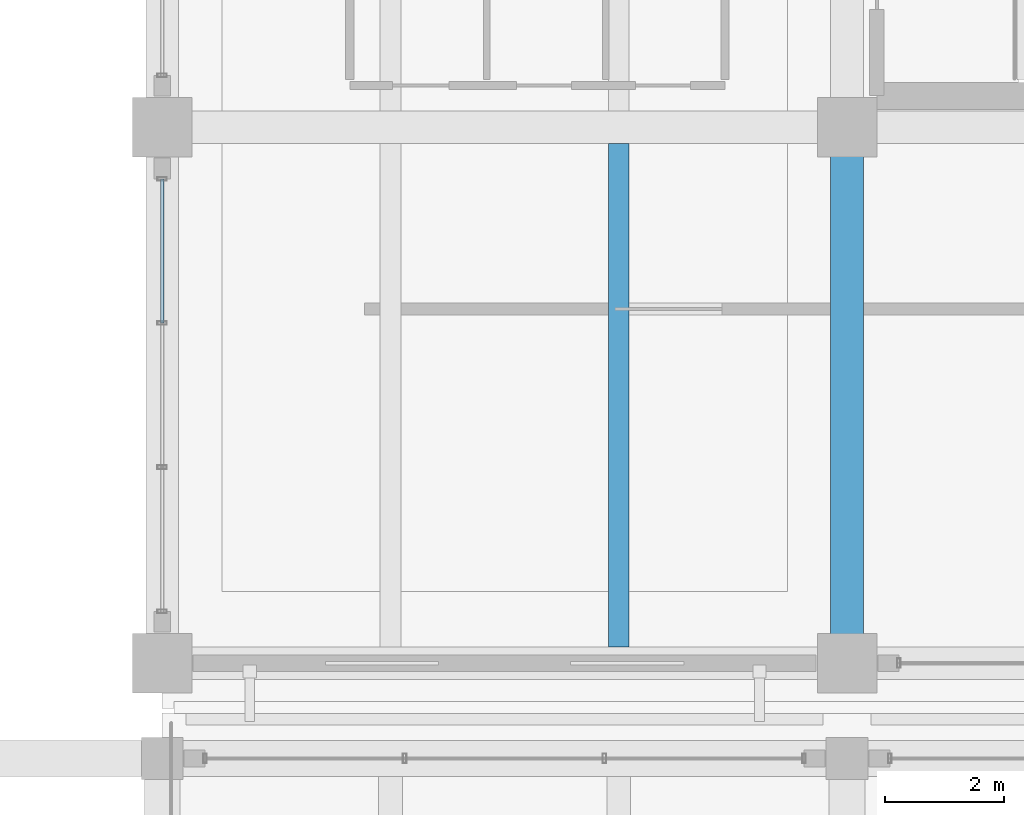
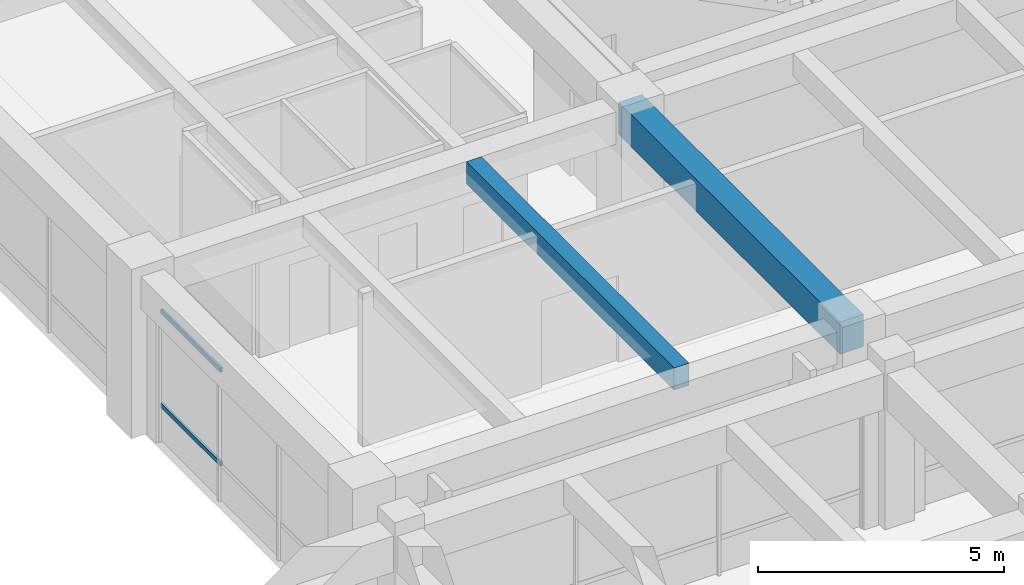
# One storey, part 37 of 98: 2 beams, 2 members, 1 element without a shape of its own.
"""IFC4 building model written with IfcOpenShell, lengths in metres."""

from ifc_helpers import new_model, si_unit, direction, frame, origin, origin_2d, place, context, subcontext, project, spatial, rectangle, hollow_rectangle, extrude, material, material_profile, profile_set, type_object, element, aggregate, save


model = new_model("IFC4")

# Units and contexts
model_context = context("Model", 3, precision=1e-05, world=origin(), true_north=direction((0.0, 1.0)))
body_context = subcontext(model_context, "Body", "Model", "MODEL_VIEW")
ifc_project = project(units=[si_unit("LENGTHUNIT", "METRE"), si_unit("AREAUNIT", "SQUARE_METRE"), si_unit("VOLUMEUNIT", "CUBIC_METRE"), si_unit("PLANEANGLEUNIT", "RADIAN"), si_unit("MASSUNIT", "GRAM", prefix="KILO")], contexts=[model_context])

# Site, building, storey
site_placement = place(None, origin())
site = spatial("IfcSite", under=ifc_project, at=site_placement, CompositionType="ELEMENT")
building_placement = place(site_placement, origin())
building = spatial("IfcBuilding", under=site, at=building_placement, Name="Ologun Quay Terminus", CompositionType="ELEMENT")
storey_placement = place(building_placement, frame((0.0, 0.0, 4.199951171875)))
storey = spatial("IfcBuildingStorey", under=building, at=storey_placement, Name="L01", CompositionType="ELEMENT", Elevation=4.199951171875)

# Curtain wall, members
ifc_material_1 = material(Name="Aluminium 6063-T6", Category="aluminium")
curtain_wall_type = type_object("IfcCurtainWallType", Name="Rain-Garden East Courtyard Curtain Wall L01 9200x3850", PredefinedType="USERDEFINED", material=ifc_material_1)
curtain_wall_placement = place(storey_placement, origin())
curtain_wall = element("IfcCurtainWall", 1, at=curtain_wall_placement, inside=storey, type_object=curtain_wall_type, Name="CW-18 Curtain Wall CW-L01-128", ObjectType="UNITISED CURTAIN WALL", PredefinedType="USERDEFINED")
ifc_material_2 = material(Name="Aluminium 6063-T6", Category="aluminium")
ifc_material_profile_1 = material_profile(ifc_material_2, hollow_rectangle(XDim=0.054931640625, YDim=0.110107421875, WallThickness=0.00390625, at=origin_2d()), Name="ALU 110x55x4")
ifc_profile_set_1 = profile_set([ifc_material_profile_1], Name="Aluminium 6063-T6")
member_type = type_object("IfcMemberType", Name="Courtyard Screen Transom 110x55", PredefinedType="USERDEFINED", material=ifc_profile_set_1)
member_1_placement = place(storey_placement, frame((115.0, 91.510009765625, 0.900146484375), z_axis=(0.0, 1.0, 0.0), x_axis=(-1.0, 0.0, 0.0)))
member_1 = element("IfcMember", 2, at=member_1_placement, type_object=member_type, Name="CW-L01-128 Transom B3-1", ObjectType="TRANSOM", PredefinedType="USERDEFINED", context=body_context, shape_type="SweptSolid", body=[
    extrude(hollow_rectangle(XDim=0.054931640625, YDim=0.110107421875, WallThickness=0.00390625, at=origin_2d()), origin(), (0.0, 0.0, 1.0), 2.419921875),
])
member_2_placement = place(storey_placement, frame((115.0, 91.510009765625, 3.22998046875), z_axis=(0.0, 1.0, 0.0), x_axis=(-1.0, 0.0, 0.0)))
member_2 = element("IfcMember", 3, at=member_2_placement, type_object=member_type, Name="CW-L01-128 Transom B3-2", ObjectType="TRANSOM", PredefinedType="USERDEFINED", context=body_context, shape_type="SweptSolid", body=[
    extrude(hollow_rectangle(XDim=0.054931640625, YDim=0.110107421875, WallThickness=0.00390625, at=origin_2d()), origin(), (0.0, 0.0, 1.0), 2.419921875),
])
aggregate(curtain_wall, [member_1, member_2])

# Beams
ifc_material_3 = material(Name="Concrete C40/50", Category="concrete")
ifc_material_profile_2 = material_profile(ifc_material_3, rectangle(XDim=0.550048828125, YDim=0.800048828125, at=origin_2d()), Name="RC 550x800")
ifc_profile_set_2 = profile_set([ifc_material_profile_2], Name="Concrete C40/50")
beam_type_1 = type_object("IfcBeamType", Name="Courtyard Wing Primary Girder 550x800", PredefinedType="BEAM", material=ifc_profile_set_2)
beam_1_placement = place(storey_placement, frame((126.5, 85.800048828125, 3.550048828125), z_axis=(0.0, 1.0, 0.0), x_axis=(-1.0, 0.0, 0.0)))
element("IfcBeam", 4, at=beam_1_placement, inside=storey, type_object=beam_type_1, Name="B4 Beam 12/G2 L01", PredefinedType="BEAM", context=body_context, shape_type="SweptSolid", body=[
    extrude(rectangle(XDim=0.550048828125, YDim=0.800048828125, at=origin_2d()), origin(), (0.0, 0.0, 1.0), 9.0),
])
ifc_material_4 = material(Name="Concrete C40/50", Category="concrete")
ifc_material_profile_3 = material_profile(ifc_material_4, rectangle(XDim=0.35009765625, YDim=0.550048828125, at=origin_2d()), Name="RC 350x550")
ifc_profile_set_3 = profile_set([ifc_material_profile_3], Name="Concrete C40/50")
beam_type_2 = type_object("IfcBeamType", Name="Courtyard Wing Secondary Joist 350x550", PredefinedType="JOIST", material=ifc_profile_set_3)
beam_2_placement = place(storey_placement, frame((122.666748046875, 86.074951171875, 3.675048828125), z_axis=(0.0, 1.0, 0.0), x_axis=(-1.0, 0.0, 0.0)))
element("IfcBeam", 5, at=beam_2_placement, inside=storey, type_object=beam_type_2, Name="J2 Beam 11/G2 L01", PredefinedType="JOIST", context=body_context, shape_type="SweptSolid", body=[
    extrude(rectangle(XDim=0.35009765625, YDim=0.550048828125, at=origin_2d()), origin(), (0.0, 0.0, 1.0), 8.449951171875),
])

save(model, "model.ifc")
